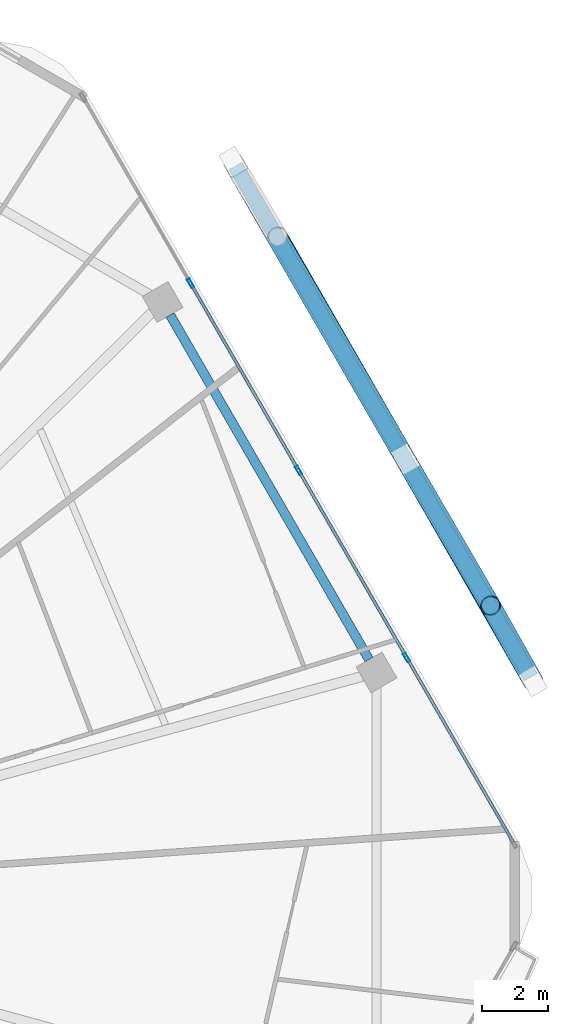
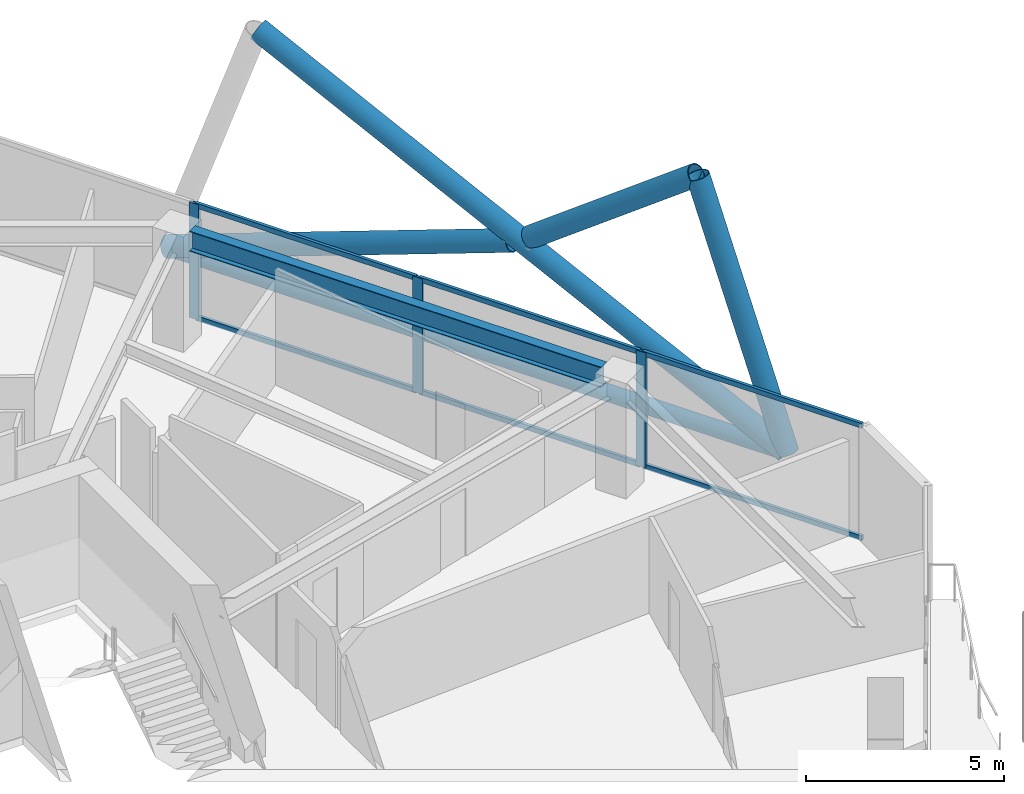
# One storey, part 17 of 29: 14 members, 1 beam, 1 element without a shape of its own.
"""IFC4 building model written with IfcOpenShell, lengths in metres."""

from ifc_helpers import new_model, si_unit, direction, frame, origin, origin_2d, place, context, subcontext, project, spatial, hollow_rectangle, hollow_circle, i_section, extrude, material, material_profile, profile_set, type_object, element, aggregate, save


model = new_model("IFC4")

# Units and contexts
model_context = context("Model", 3, precision=1e-05, world=origin(), true_north=direction((0.0, 1.0)))
body_context = subcontext(model_context, "Body", "Model", "MODEL_VIEW")
ifc_project = project(units=[si_unit("LENGTHUNIT", "METRE"), si_unit("AREAUNIT", "SQUARE_METRE"), si_unit("VOLUMEUNIT", "CUBIC_METRE"), si_unit("PLANEANGLEUNIT", "RADIAN"), si_unit("MASSUNIT", "GRAM", prefix="KILO")], contexts=[model_context])

# Site, building, storey
site_placement = place(None, origin())
site = spatial("IfcSite", under=ifc_project, at=site_placement, CompositionType="ELEMENT")
building_placement = place(site_placement, origin())
building = spatial("IfcBuilding", under=site, at=building_placement, Name="Zuhravey Tower", CompositionType="ELEMENT")
storey_placement = place(building_placement, frame((0.0, 0.0, 246.39990234375)))
storey = spatial("IfcBuildingStorey", under=building, at=storey_placement, Name="L62", CompositionType="ELEMENT", Elevation=246.39990234375)

# Curtain wall, members
ifc_material_1 = material(Name="Thermally broken anodised aluminium", Category="aluminium")
curtain_wall_type = type_object("IfcCurtainWallType", Name="Zone 3-4 High-Rise Curtain Wall CW4", PredefinedType="NOTDEFINED", material=ifc_material_1)
curtain_wall_placement = place(storey_placement, origin())
curtain_wall = element("IfcCurtainWall", 1, at=curtain_wall_placement, inside=storey, type_object=curtain_wall_type, Name="L62 CW4 CW-L62-F1-1", PredefinedType="NOTDEFINED")
ifc_material_2 = material(Name="Anodised aluminium", Category="aluminium")
ifc_material_profile_1 = material_profile(ifc_material_2, hollow_rectangle(XDim=0.090087890625, YDim=0.284912109375, WallThickness=0.0048828125, at=origin_2d()), Name="ALU-RHS-90x285x5")
ifc_profile_set_1 = profile_set([ifc_material_profile_1], Name="Anodised aluminium")
member_type_1 = type_object("IfcMemberType", Name="Curtain-Wall Mullion 90x180", PredefinedType="MULLION", material=ifc_profile_set_1)
member_1_placement = place(storey_placement, frame((54.885498046875, 50.41650390625, 0.0), z_axis=(0.0, 0.0, 1.0), x_axis=(0.866024851021, 0.500000957414, 0.0)))
member_1 = element("IfcMember", 2, at=member_1_placement, type_object=member_type_1, Name="CW4 mullion 2", PredefinedType="MULLION", context=body_context, shape_type="SweptSolid", body=[
    extrude(hollow_rectangle(XDim=0.090087890625, YDim=0.284912109375, WallThickness=0.0048828125, at=origin_2d()), origin(), (0.0, 0.0, 1.0), 3.550048828125),
])
member_2_placement = place(storey_placement, frame((58.138671875, 44.78173828125, 0.0), z_axis=(0.0, 0.0, 1.0), x_axis=(0.866024851021, 0.500000957414, 0.0)))
member_2 = element("IfcMember", 3, at=member_2_placement, type_object=member_type_1, Name="CW4 mullion 3", PredefinedType="MULLION", context=body_context, shape_type="SweptSolid", body=[
    extrude(hollow_rectangle(XDim=0.090087890625, YDim=0.284912109375, WallThickness=0.0048828125, at=origin_2d()), origin(), (0.0, 0.0, 1.0), 3.550048828125),
])
member_3_placement = place(storey_placement, frame((61.391845703125, 39.147216796875, 0.0), z_axis=(0.0, 0.0, 1.0), x_axis=(0.866024851021, 0.500000957414, 0.0)))
member_3 = element("IfcMember", 4, at=member_3_placement, type_object=member_type_1, Name="CW4 mullion 4", PredefinedType="MULLION", context=body_context, shape_type="SweptSolid", body=[
    extrude(hollow_rectangle(XDim=0.090087890625, YDim=0.284912109375, WallThickness=0.0048828125, at=origin_2d()), origin(), (0.0, 0.0, 1.0), 3.550048828125),
])
ifc_material_profile_2 = material_profile(ifc_material_2, hollow_rectangle(XDim=0.090087890625, YDim=0.14990234375, WallThickness=0.0048828125, at=origin_2d()), Name="ALU-RHS-90x150x5")
ifc_profile_set_2 = profile_set([ifc_material_profile_2], Name="Anodised aluminium")
member_type_2 = type_object("IfcMemberType", Name="Curtain-Wall Transom 90x150", PredefinedType="USERDEFINED", material=ifc_profile_set_2)
member_4_placement = place(storey_placement, frame((54.907958984375, 50.37744140625, 0.045166015625), z_axis=(0.500014493347, -0.866017035885, 0.0), x_axis=(0.866017035885, 0.500014493347, 0.0)))
member_4 = element("IfcMember", 5, at=member_4_placement, type_object=member_type_2, Name="CW4 transom 2.1", ObjectType="TRANSOM", PredefinedType="USERDEFINED", context=body_context, shape_type="SweptSolid", body=[
    extrude(hollow_rectangle(XDim=0.090087890625, YDim=0.14990234375, WallThickness=0.0048828125, at=origin_2d()), origin(), (0.0, 0.0, 1.0), 6.416259765625),
])
member_5_placement = place(storey_placement, frame((54.907958984375, 50.37744140625, 3.505126953125), z_axis=(0.500014493347, -0.866017035885, 0.0), x_axis=(0.866017035885, 0.500014493347, 0.0)))
member_5 = element("IfcMember", 6, at=member_5_placement, type_object=member_type_2, Name="CW4 transom 2.2", ObjectType="TRANSOM", PredefinedType="USERDEFINED", context=body_context, shape_type="SweptSolid", body=[
    extrude(hollow_rectangle(XDim=0.090087890625, YDim=0.14990234375, WallThickness=0.0048828125, at=origin_2d()), origin(), (0.0, 0.0, 1.0), 6.416259765625),
])
member_6_placement = place(storey_placement, frame((58.1611328125, 44.742919921875, 0.045166015625), z_axis=(0.499998017366, -0.866026548456, 0.0), x_axis=(0.866026548456, 0.499998017366, 0.0)))
member_6 = element("IfcMember", 7, at=member_6_placement, type_object=member_type_2, Name="CW4 transom 3.1", ObjectType="TRANSOM", PredefinedType="USERDEFINED", context=body_context, shape_type="SweptSolid", body=[
    extrude(hollow_rectangle(XDim=0.090087890625, YDim=0.14990234375, WallThickness=0.0048828125, at=origin_2d()), origin(), (0.0, 0.0, 1.0), 6.41650390625),
])
member_7_placement = place(storey_placement, frame((58.1611328125, 44.742919921875, 3.505126953125), z_axis=(0.499998017366, -0.866026548456, 0.0), x_axis=(0.866026548456, 0.499998017366, 0.0)))
member_7 = element("IfcMember", 8, at=member_7_placement, type_object=member_type_2, Name="CW4 transom 3.2", ObjectType="TRANSOM", PredefinedType="USERDEFINED", context=body_context, shape_type="SweptSolid", body=[
    extrude(hollow_rectangle(XDim=0.090087890625, YDim=0.14990234375, WallThickness=0.0048828125, at=origin_2d()), origin(), (0.0, 0.0, 1.0), 6.41650390625),
])
member_8_placement = place(storey_placement, frame((61.414306640625, 39.108154296875, 0.045166015625), z_axis=(0.500008810174, -0.866020317169, 0.0), x_axis=(0.866020317169, 0.500008810174, 0.0)))
member_8 = element("IfcMember", 9, at=member_8_placement, type_object=member_type_2, Name="CW4 transom 4.1", ObjectType="TRANSOM", PredefinedType="USERDEFINED", context=body_context, shape_type="SweptSolid", body=[
    extrude(hollow_rectangle(XDim=0.090087890625, YDim=0.14990234375, WallThickness=0.0048828125, at=origin_2d()), origin(), (0.0, 0.0, 1.0), 6.37158203125),
])
member_9_placement = place(storey_placement, frame((61.414306640625, 39.108154296875, 3.505126953125), z_axis=(0.500008810174, -0.866020317169, 0.0), x_axis=(0.866020317169, 0.500008810174, 0.0)))
member_9 = element("IfcMember", 10, at=member_9_placement, type_object=member_type_2, Name="CW4 transom 4.2", ObjectType="TRANSOM", PredefinedType="USERDEFINED", context=body_context, shape_type="SweptSolid", body=[
    extrude(hollow_rectangle(XDim=0.090087890625, YDim=0.14990234375, WallThickness=0.0048828125, at=origin_2d()), origin(), (0.0, 0.0, 1.0), 6.37158203125),
])
aggregate(curtain_wall, [member_1, member_2, member_3, member_4, member_5, member_6, member_7, member_8, member_9])

# Members
ifc_material_3 = material(Name="Steel SM355", Category="steel")
ifc_material_profile_3 = material_profile(ifc_material_3, hollow_circle(Radius=0.228515625, WallThickness=0.02197265625, at=origin_2d()), Name="CHS-457.2x22")
ifc_profile_set_3 = profile_set([ifc_material_profile_3], Name="Steel SM355")
member_type_3 = type_object("IfcMemberType", Name="Exoskeleton Ring Tie CHS457x22", PredefinedType="CHORD", material=ifc_profile_set_3)
member_10_placement = place(storey_placement, frame((65.12939453125, 38.5537109375, -0.4638671875), z_axis=(-0.500005767435, 0.866022073929, 0.0), x_axis=(-0.866022073929, -0.500005767435, 0.0)))
element("IfcMember", 11, at=member_10_placement, inside=storey, type_object=member_type_3, Name="L62 Exoskeleton Face 1 Tie EXR1", PredefinedType="CHORD", context=body_context, shape_type="SweptSolid", body=[
    extrude(hollow_circle(Radius=0.228515625, WallThickness=0.02197265625, at=origin_2d()), origin(), (0.0, 0.0, 1.0), 17.778076171875),
])
ifc_material_profile_4 = material_profile(ifc_material_3, hollow_circle(Radius=0.3046875, WallThickness=0.028076171875, at=origin_2d()), Name="CHS-609.6x28")
ifc_profile_set_4 = profile_set([ifc_material_profile_4], Name="Steel SM355")
member_type_4 = type_object("IfcMemberType", Name="Exoskeleton Zone 3 Diagrid CHS610x28", PredefinedType="BRACE", material=ifc_profile_set_4)
member_11_placement = place(storey_placement, frame((65.1962890625, 38.43798828125, -0.44580078125), z_axis=(-0.159795415744, 0.28422652237, 0.945346872364), x_axis=(-0.871682978645, -0.490070183485, 0.0)))
element("IfcMember", 12, at=member_11_placement, inside=storey, type_object=member_type_4, Name="L62 Face 1 Diagrid Brace 1", PredefinedType="BRACE", context=body_context, shape_type="SweptSolid", body=[
    extrude(hollow_circle(Radius=0.3046875, WallThickness=0.028076171875, at=origin_2d()), origin(), (0.0, 0.0, 1.0), 8.001220703125),
])
member_12_placement = place(storey_placement, frame((65.18115234375, 38.464111328125, -0.44580078125), z_axis=(-0.447076260377, 0.777832000061, 0.441701479607), x_axis=(-0.866991611578, -0.498322732225, 0.0)))
element("IfcMember", 13, at=member_12_placement, inside=storey, type_object=member_type_4, Name="L62 Face 1 Diagrid Brace 2", PredefinedType="BRACE", context=body_context, shape_type="SweptSolid", body=[
    extrude(hollow_circle(Radius=0.3046875, WallThickness=0.028076171875, at=origin_2d()), origin(), (0.0, 0.0, 1.0), 17.12451171875),
])
member_13_placement = place(storey_placement, frame((56.189453125, 54.0380859375, -0.449951171875), z_axis=(0.47048560947, -0.812183155401, 0.344966394544), x_axis=(0.865299535877, 0.501255137839, 0.0)))
element("IfcMember", 14, at=member_13_placement, inside=storey, type_object=member_type_4, Name="L62 Face 1 Split Diagrid Brace 3A", PredefinedType="BRACE", context=body_context, shape_type="SweptSolid", body=[
    extrude(hollow_circle(Radius=0.3046875, WallThickness=0.028076171875, at=origin_2d()), origin(), (0.0, 0.0, 1.0), 10.68017578125),
])
member_14_placement = place(storey_placement, frame((61.471923828125, 44.919921875, 3.512451171875), z_axis=(0.402897567593, -0.693131385907, 0.597697609079), x_axis=(0.864553683071, 0.502540475075, 0.0)))
element("IfcMember", 15, at=member_14_placement, inside=storey, type_object=member_type_4, Name="L62 Face 1 Split Diagrid Brace 3B", PredefinedType="BRACE", context=body_context, shape_type="SweptSolid", body=[
    extrude(hollow_circle(Radius=0.3046875, WallThickness=0.028076171875, at=origin_2d()), origin(), (0.0, 0.0, 1.0), 6.02197265625),
])

# Beam
ifc_material_profile_5 = material_profile(ifc_material_3, i_section(OverallWidth=0.280029296875, OverallDepth=0.6201171875, WebThickness=0.011962890625, FlangeThickness=0.02001953125, at=origin_2d()), Name="H-620x280x12x20")
ifc_profile_set_5 = profile_set([ifc_material_profile_5], Name="Steel SM355")
beam_type = type_object("IfcBeamType", Name="Perimeter Ring Beam H620x280", PredefinedType="BEAM", material=ifc_profile_set_5)
beam_placement = place(storey_placement, frame((60.258056640625, 39.09130859375, 3.239990234375), z_axis=(-0.500017744717, 0.866015158625, 0.0), x_axis=(-0.866015158625, -0.500017744717, 0.0)))
element("IfcBeam", 16, at=beam_placement, inside=storey, type_object=beam_type, Name="L62 PB3 BM-L62-PB-01", PredefinedType="BEAM", context=body_context, shape_type="SweptSolid", body=[
    extrude(i_section(OverallWidth=0.280029296875, OverallDepth=0.6201171875, WebThickness=0.011962890625, FlangeThickness=0.02001953125, at=origin_2d()), origin(), (0.0, 0.0, 1.0), 11.9755859375),
])

save(model, "model.ifc")
